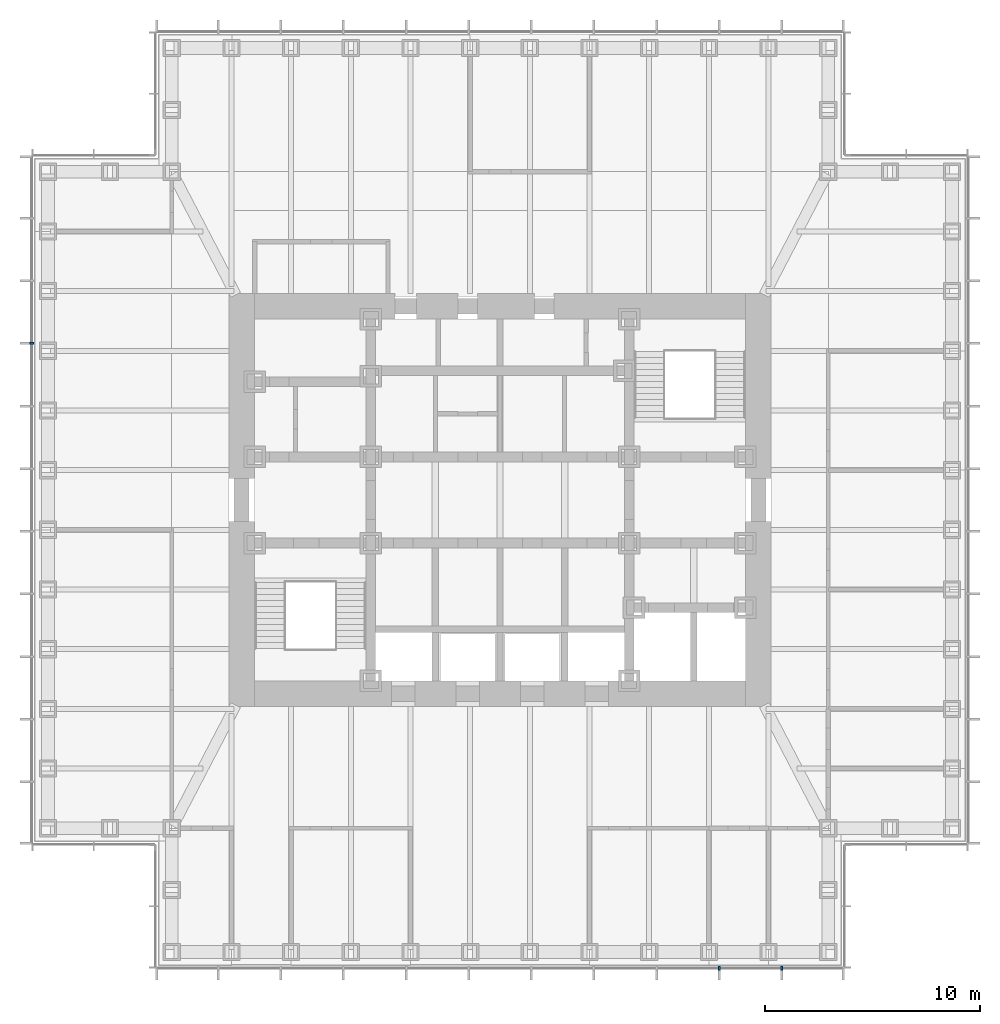
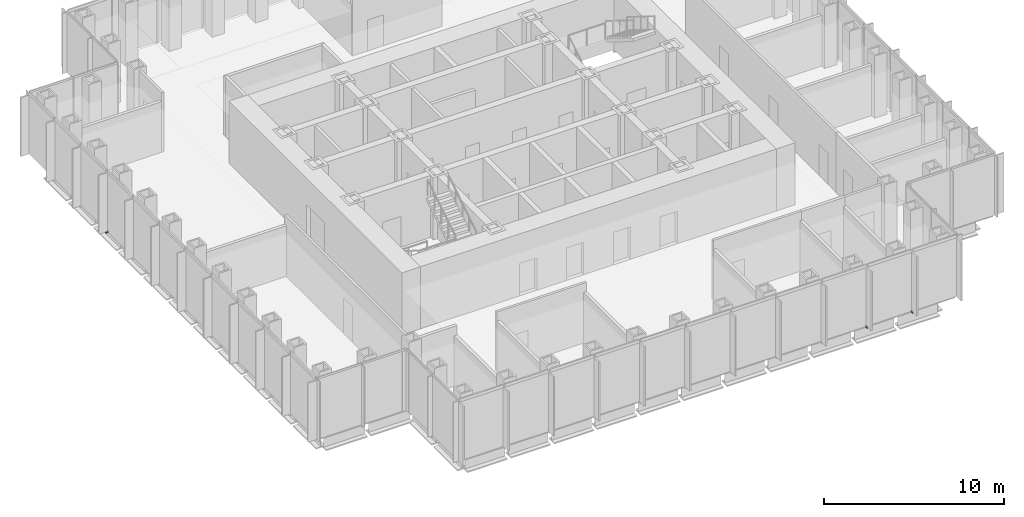
# One storey, part 12 of 16: 3 discrete accessories.
"""IFC4 building model written with IfcOpenShell, lengths in metres."""

import ifcopenshell
import ifcopenshell.guid

model = None  # the IFC model being written
_history = None  # IfcOwnerHistory: only IFC2X3 demands one
_inside = {}  # id of a spatial element -> (the spatial element, [elements in it])
_under = {}  # id of a project, library or spatial element -> (it, [spatial elements below it])
_declared = {}  # id of a project -> (the project, [libraries it declares])
_typed = {}  # id of a type object -> (the type object, [elements of that type])
_made_of = {}  # id of a material, layer set ... -> (it, [elements and type objects made of it])


def new_model(schema):
    """Start an empty IFC model of exactly this schema.

    Asked for "IFC4X3", IfcOpenShell would pick the latest addendum, in which some entities
    have other attributes; the version numbers below select the first issue.
    IFC2X3 requires an IfcOwnerHistory on every rooted entity: one is made here for all.
    """
    global model, _history
    if schema == "IFC4X3":
        model = ifcopenshell.file(schema_version=(4, 3, 0, 0))
    else:
        model = ifcopenshell.file(schema=schema)
    _inside.clear()
    _under.clear()
    _declared.clear()
    _typed.clear()
    _made_of.clear()
    _history = None
    if model.schema == "IFC2X3":
        org = make("IfcOrganization", Name="unknown")
        user = make(
            "IfcPersonAndOrganization",
            ThePerson=make("IfcPerson", FamilyName="unknown"),
            TheOrganization=org,
        )
        app = make(
            "IfcApplication",
            ApplicationDeveloper=org,
            Version="unknown",
            ApplicationFullName="unknown",
            ApplicationIdentifier="unknown",
        )
        _history = make(
            "IfcOwnerHistory",
            OwningUser=user,
            OwningApplication=app,
            ChangeAction="ADDED",
            CreationDate=0,
        )
    return model


def make(cls, **values):
    """One entity of the class cls with the attributes given. An attribute that is None is left unset."""
    return model.create_entity(
        cls, **{name: value for name, value in values.items() if value is not None}
    )


def rooted(cls, **values):
    """An entity with a GlobalId (a new one), such as an element, a storey or a relation."""
    return make(cls, GlobalId=ifcopenshell.guid.new(), OwnerHistory=_history, **values)


def si_unit(unit_type, name, prefix=None):
    """IfcSIUnit, for example si_unit("LENGTHUNIT", "METRE", prefix="MILLI")."""
    return make("IfcSIUnit", UnitType=unit_type, Prefix=prefix, Name=name)


def assignment(units):
    """IfcUnitAssignment: the units of a project."""
    return None if units is None else make("IfcUnitAssignment", Units=units)


def point(xyz):
    """IfcCartesianPoint."""
    return None if xyz is None else make("IfcCartesianPoint", Coordinates=xyz)


def direction(xyz):
    """IfcDirection."""
    return None if xyz is None else make("IfcDirection", DirectionRatios=xyz)


def frame(location, z_axis=None, x_axis=None):
    """IfcAxis2Placement3D, a coordinate frame: its origin and axes. An axis left out is left unset."""
    return make(
        "IfcAxis2Placement3D",
        Location=point(location),
        Axis=direction(z_axis),
        RefDirection=direction(x_axis),
    )


def frame_2d(location, x_axis=None):
    """IfcAxis2Placement2D, a coordinate frame in the plane: its origin and x axis."""
    return make(
        "IfcAxis2Placement2D", Location=point(location), RefDirection=direction(x_axis)
    )


def origin():
    """The frame at (0, 0, 0) with its axes left unset."""
    return frame((0.0, 0.0, 0.0))


def origin_2d():
    """The frame at (0, 0) in the plane with its x axis left unset."""
    return frame_2d((0.0, 0.0))


def place(relative_to, where):
    """IfcLocalPlacement: puts the frame where relative to a parent placement (None: the world)."""
    return make(
        "IfcLocalPlacement", PlacementRelTo=relative_to, RelativePlacement=where
    )


def context(
    kind, dimensions, precision=None, world=None, true_north=None, identifier=None
):
    """IfcGeometricRepresentationContext, for example the 3D "Model" context."""
    return make(
        "IfcGeometricRepresentationContext",
        ContextIdentifier=identifier,
        ContextType=kind,
        CoordinateSpaceDimension=dimensions,
        Precision=precision,
        WorldCoordinateSystem=world,
        TrueNorth=true_north,
    )


def subcontext(parent, identifier, kind, view, scale=None):
    """IfcGeometricRepresentationSubContext, for example "Body" below "Model"."""
    return make(
        "IfcGeometricRepresentationSubContext",
        ContextIdentifier=identifier,
        ContextType=kind,
        ParentContext=parent,
        TargetScale=scale,
        TargetView=view,
    )


def project(units=None, contexts=None):
    """IfcProject with its units and contexts."""
    return rooted(
        "IfcProject",
        Name="project",
        RepresentationContexts=contexts,
        UnitsInContext=assignment(units),
    )


def spatial(cls, under=None, at=None, **own):
    """A site, building, storey or space (cls), placed at a placement, below another one or the project."""
    s = rooted(cls, ObjectPlacement=at, **own)
    if under is not None:
        _under.setdefault(under.id(), (under, []))[1].append(s)
    return s


def profile(cls, at=None, kind="AREA", **sizes):
    """A parametric profile (cls). Its sizes go by their IFC names, for example OverallWidth=200.0."""
    return make(cls, ProfileType=kind, Position=at, **sizes)


def rectangle(**sizes):
    """IfcRectangleProfileDef."""
    return profile("IfcRectangleProfileDef", **sizes)


def extrude(swept, where, along, depth):
    """IfcExtrudedAreaSolid: the profile swept, set in the frame where, extruded along a direction by depth."""
    return make(
        "IfcExtrudedAreaSolid",
        SweptArea=swept,
        Position=where,
        ExtrudedDirection=direction(along),
        Depth=depth,
    )


def shape(context_of_items, identifier, shape_type, items):
    """IfcShapeRepresentation: the items that make up one representation, for example the "Body"."""
    return make(
        "IfcShapeRepresentation",
        ContextOfItems=context_of_items,
        RepresentationIdentifier=identifier,
        RepresentationType=shape_type,
        Items=items,
    )


def made_of(thing, what):
    """Note that an element or type object is made of a material, layer set ...; save() writes the relation."""
    if what is not None:
        _made_of.setdefault(what.id(), (what, []))[1].append(thing)
    return thing


def element(
    cls,
    number,
    at=None,
    inside=None,
    cuts=None,
    type_object=None,
    material=None,
    context=None,
    identifier="Body",
    shape_type=None,
    held_by="IfcProductDefinitionShape",
    body=None,
    shapes=None,
    **own,
):
    """One element of the class cls, such as IfcWall. Its Tag is "e" and its number.

    at: its placement. inside: the storey or other place that contains it. cuts: it is an
    opening in that element (IfcRelVoidsElement). A single representation is given by context,
    identifier, shape_type and body (its items); several are given by shapes. held_by: the class
    of the entity that holds the representations. save() writes the other relations.
    """
    e = rooted(cls, Tag="e%d" % number, ObjectPlacement=at, **own)
    if body is not None:
        shapes = [shape(context, identifier, shape_type, body)]
    if shapes is not None:
        e.Representation = make(held_by, Representations=shapes)
    if inside is not None:
        _inside.setdefault(inside.id(), (inside, []))[1].append(e)
    if cuts is not None:
        rooted(
            "IfcRelVoidsElement", RelatingBuildingElement=cuts, RelatedOpeningElement=e
        )
    if type_object is not None:
        _typed.setdefault(type_object.id(), (type_object, []))[1].append(e)
    return made_of(e, material)


def aggregate(whole, parts):
    """IfcRelAggregates: a whole, such as a stair, and the parts it consists of."""
    return rooted("IfcRelAggregates", RelatingObject=whole, RelatedObjects=parts)


def save(model, path):
    """Write the relations noted so far, then the file.

    IfcRelAggregates (storeys below a building ...), IfcRelContainedInSpatialStructure (elements
    in a storey), IfcRelDefinesByType, IfcRelAssociatesMaterial and IfcRelDeclares: one each for
    every whole, place, type object, material and project.
    """
    for whole, parts in _under.values():
        aggregate(whole, parts)
    for where, things in _inside.values():
        rooted(
            "IfcRelContainedInSpatialStructure",
            RelatedElements=things,
            RelatingStructure=where,
        )
    for kind, things in _typed.values():
        rooted("IfcRelDefinesByType", RelatedObjects=things, RelatingType=kind)
    for what, things in _made_of.values():
        rooted("IfcRelAssociatesMaterial", RelatedObjects=things, RelatingMaterial=what)
    for by, libraries in _declared.values():
        rooted("IfcRelDeclares", RelatingContext=by, RelatedDefinitions=libraries)
    model.write(path)


model = new_model("IFC4")

# Units and contexts
model_context = context("Model", 3, precision=1e-05, world=origin(), true_north=direction((0.0, 1.0)))
body_context = subcontext(model_context, "Body", "Model", "MODEL_VIEW")
ifc_project = project(units=[si_unit("LENGTHUNIT", "METRE"), si_unit("AREAUNIT", "SQUARE_METRE"), si_unit("VOLUMEUNIT", "CUBIC_METRE"), si_unit("PLANEANGLEUNIT", "RADIAN"), si_unit("MASSUNIT", "GRAM", prefix="KILO")], contexts=[model_context])

# Site, building, storey
site_placement = place(None, origin())
site = spatial("IfcSite", under=ifc_project, at=site_placement, CompositionType="ELEMENT")
building_placement = place(site_placement, origin())
building = spatial("IfcBuilding", under=site, at=building_placement, Name="Daluyong Arena Tower", CompositionType="ELEMENT")
storey_placement = place(building_placement, frame((0.0, 0.0, 271.300048828125)))
storey = spatial("IfcBuildingStorey", under=building, at=storey_placement, Name="L61", CompositionType="ELEMENT", Elevation=271.300048828125)

# Discrete accessories
for number, where, z_axis, x_axis, name in (
    (1, (66.181884765625, 58.25, -0.10009765625), (0.0, 0.0, 1.0), (1.0, 0.0, 0.0), "curtain wall L61 S anchor bracket 10"),
    (2, (69.0908203125, 58.25, -0.10009765625), (0.0, 0.0, 1.0), (1.0, 0.0, 0.0), "curtain wall L61 S anchor bracket 11"),
    (3, (34.25, 87.272705078125, -0.10009765625), (0.0, 0.0, 1.0), (0.0, -1.0, 0.0), "curtain wall L61 W anchor bracket 4"),
):
    element("IfcDiscreteAccessory", number, at=place(storey_placement, frame(where, z_axis=z_axis, x_axis=x_axis)), inside=storey, Name=name, PredefinedType="BRACKET", context=body_context, shape_type="SweptSolid", body=[
        extrude(rectangle(XDim=0.090087890625, YDim=0.199951171875, at=origin_2d()), origin(), (0.0, 0.0, 1.0), 0.10009765625),
    ])

save(model, "model.ifc")
